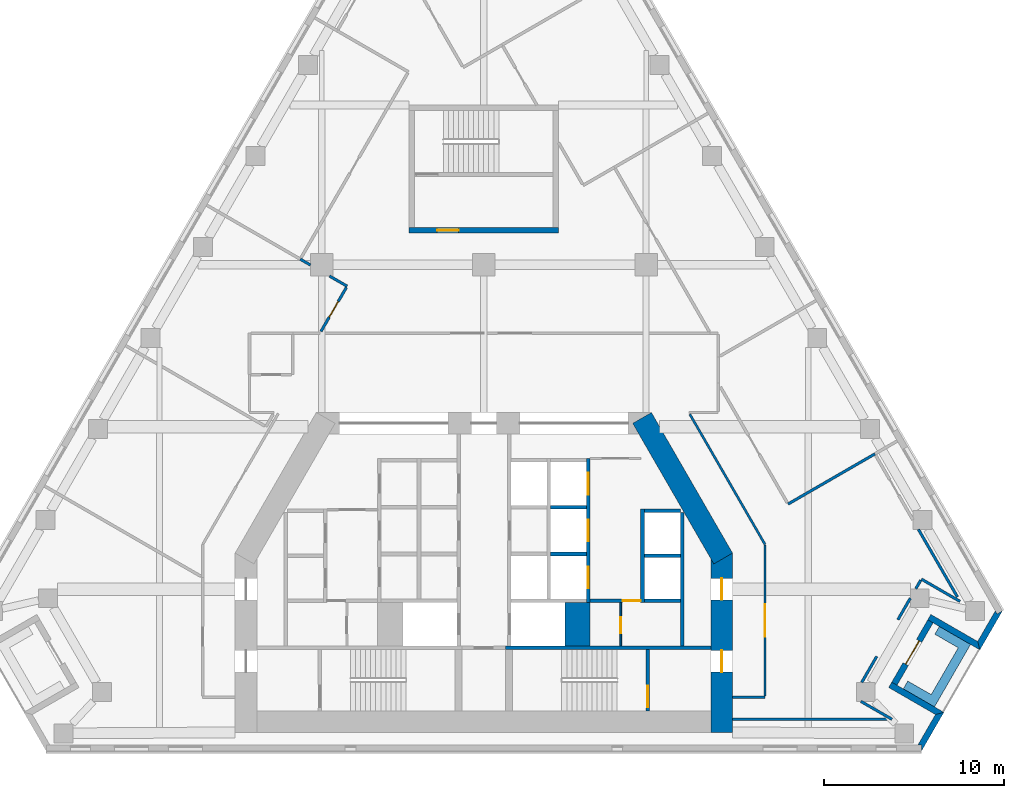
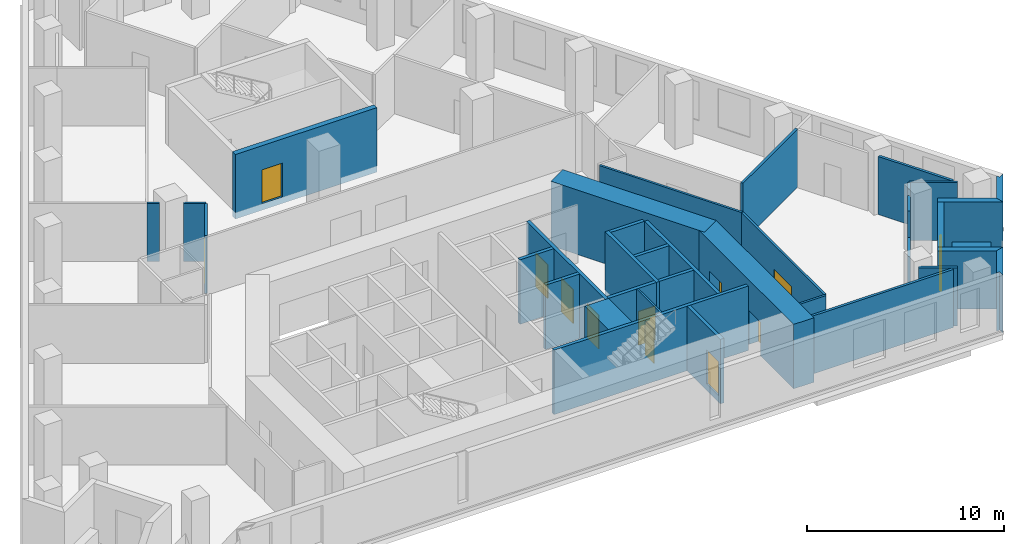
# One storey, part 5 of 8: 36 walls, 12 doors, 12 openings.
"""IFC4 building model written with IfcOpenShell, lengths in metres."""

from ifc_helpers import new_model, si_unit, direction, frame, frame_2d, origin, place, context, subcontext, project, spatial, polyline, rectangle, outline, extrude, material, layer, layer_set, type_object, element, fill, save


model = new_model("IFC4")

# Units and contexts
model_context = context("Model", 3, precision=1e-05, world=origin(), true_north=direction((0.0, 1.0)))
body_context = subcontext(model_context, "Body", "Model", "MODEL_VIEW")
ifc_project = project(units=[si_unit("LENGTHUNIT", "METRE"), si_unit("AREAUNIT", "SQUARE_METRE"), si_unit("VOLUMEUNIT", "CUBIC_METRE"), si_unit("PLANEANGLEUNIT", "RADIAN"), si_unit("MASSUNIT", "GRAM", prefix="KILO")], contexts=[model_context])

# Site, building, storey
site_placement = place(None, origin())
site = spatial("IfcSite", under=ifc_project, at=site_placement, CompositionType="ELEMENT")
building_placement = place(site_placement, origin())
building = spatial("IfcBuilding", under=site, at=building_placement, Name="Fogline Exchange Tower", CompositionType="ELEMENT")
storey_placement = place(building_placement, frame((0.0, 0.0, 158.89990234375)))
storey = spatial("IfcBuildingStorey", under=building, at=storey_placement, Name="L35", CompositionType="ELEMENT", Elevation=158.89990234375)

# Wall, opening, door
ifc_material_1 = material(Name="Blockwork partition", Category="masonry")
ifc_layer_1 = layer(ifc_material_1, 0.10009765625)
ifc_layer_set_1 = layer_set([ifc_layer_1], Name="CW10")
wall_type_1 = type_object("IfcWallType", Name="CW10", PredefinedType="PARTITIONING", material=ifc_layer_set_1)
wall_1_placement = place(storey_placement, frame((7.60009765625, 5.85009765625, 0.0), z_axis=(0.0, 0.0, 1.0), x_axis=(0.0, 1.0, 0.0)))
wall_1 = element("IfcWall", 1, at=wall_1_placement, inside=storey, type_object=wall_type_1, Name="WC partition", PredefinedType="PARTITIONING", context=body_context, shape_type="SweptSolid", body=[
    extrude(rectangle(XDim=2.39990234375, YDim=0.10009765625, at=frame_2d((1.199951171875, 0.0))), origin(), (0.0, 0.0, 1.0), 3.60009765625),
])
opening_1_placement = place(wall_1_placement, frame((0.699951171875, 0.0, 0.0)))
opening_1 = element("IfcOpeningElement", 2, at=opening_1_placement, cuts=wall_1, Name="Opening T11-C019", PredefinedType="OPENING", context=body_context, shape_type="SweptSolid", body=[
    extrude(rectangle(XDim=0.89990234375, YDim=2.10009765625, at=frame_2d((0.449951171875, 1.050048828125))), frame((0.0, 0.06005859375, 0.0), z_axis=(0.0, -1.0, 0.0), x_axis=(1.0, 0.0, 0.0)), (0.0, 0.0, 1.0), 0.1201171875),
])
ifc_material_2 = material(Name="Steel and timber fire door", Category="steel")
door_type_1 = type_object("IfcDoorType", Name="D-CS1", OperationType="SINGLE_SWING_RIGHT", PredefinedType="DOOR", material=ifc_material_2)
door_1_placement = place(opening_1_placement, origin())
door_1 = element("IfcDoor", 3, at=door_1_placement, inside=storey, type_object=door_type_1, Name="Door to Cleaner's Store", OperationType="SINGLE_SWING_LEFT", OverallHeight=2.10009765625, OverallWidth=0.89990234375, PredefinedType="DOOR", context=body_context, shape_type="SweptSolid", body=[
    extrude(rectangle(XDim=0.89990234375, YDim=2.10009765625, at=frame_2d((0.449951171875, 1.050048828125))), frame((0.0, 0.02490234375, 0.0), z_axis=(0.0, -1.0, 0.0), x_axis=(1.0, 0.0, 0.0)), (0.0, 0.0, 1.0), 0.050048828125),
])
fill(opening_1, door_1)

# Walls
ifc_material_3 = material(Name="Concrete C60", Category="concrete")
ifc_layer_2 = layer(ifc_material_3, 1.39990234375)
ifc_layer_set_2 = layer_set([ifc_layer_2], Name="CW140")
wall_type_2 = type_object("IfcWallType", Name="CW140", PredefinedType="SOLIDWALL", material=ifc_layer_set_2)
wall_2_placement = place(storey_placement, frame((5.199951171875, 5.85009765625, -0.39990234375), z_axis=(0.0, 0.0, 1.0), x_axis=(0.0, 1.0, 0.0)))
element("IfcWall", 4, at=wall_2_placement, inside=storey, type_object=wall_type_2, Name="Lift shaft block wall", PredefinedType="SOLIDWALL", context=body_context, shape_type="SweptSolid", body=[
    extrude(rectangle(XDim=2.39990234375, YDim=1.39990234375, at=frame_2d((1.199951171875, 0.0))), origin(), (0.0, 0.0, 1.0), 4.0),
])
ifc_material_4 = material(Name="Concrete C40", Category="concrete")
ifc_layer_3 = layer(ifc_material_4, 0.199951171875)
ifc_layer_set_3 = layer_set([ifc_layer_3], Name="CW20")
wall_type_3 = type_object("IfcWallType", Name="CW20", PredefinedType="SOLIDWALL", material=ifc_layer_set_3)
wall_3_placement = place(storey_placement, frame((11.0, 5.85009765625, 0.0), z_axis=(0.0, 0.0, 1.0), x_axis=(0.0, 1.0, 0.0)))
element("IfcWall", 5, at=wall_3_placement, inside=storey, type_object=wall_type_3, Name="Service room wall", PredefinedType="SOLIDWALL", context=body_context, shape_type="SweptSolid", body=[
    extrude(rectangle(XDim=7.39990234375, YDim=0.199951171875, at=frame_2d((3.699951171875, 0.0))), origin(), (0.0, 0.0, 1.0), 3.60009765625),
])

# Wall, opening, door
wall_4_placement = place(storey_placement, frame((5.89990234375, 8.35009765625, 0.0), z_axis=(0.0, 0.0, 1.0), x_axis=(1.0, 0.0, 0.0)))
wall_4 = element("IfcWall", 6, at=wall_4_placement, inside=storey, type_object=wall_type_3, Name="WC wall", PredefinedType="SOLIDWALL", context=body_context, shape_type="SweptSolid", body=[
    extrude(rectangle(XDim=2.800048828125, YDim=0.199951171875, at=frame_2d((1.39990234375, 0.0))), origin(), (0.0, 0.0, 1.0), 3.60009765625),
])
opening_2_placement = place(wall_4_placement, frame((1.800048828125, 0.0, 0.0)))
opening_2 = element("IfcOpeningElement", 7, at=opening_2_placement, cuts=wall_4, Name="Opening T11-C018", PredefinedType="OPENING", context=body_context, shape_type="SweptSolid", body=[
    extrude(rectangle(XDim=1.0, YDim=2.10009765625, at=frame_2d((0.5, 1.050048828125))), frame((0.0, 0.10986328125, 0.0), z_axis=(0.0, -1.0, 0.0), x_axis=(1.0, 0.0, 0.0)), (0.0, 0.0, 1.0), 0.219970703125),
])
door_type_2 = type_object("IfcDoorType", Name="D-WC1", OperationType="SINGLE_SWING_LEFT", PredefinedType="DOOR", material=ifc_material_2)
door_2_placement = place(opening_2_placement, frame((1.0, 0.0, 0.0), z_axis=(0.0, 0.0, 1.0), x_axis=(-1.0, 0.0, 0.0)))
door_2 = element("IfcDoor", 8, at=door_2_placement, inside=storey, type_object=door_type_2, Name="Door to Women's WC", OperationType="SINGLE_SWING_LEFT", OverallHeight=2.10009765625, OverallWidth=1.0, PredefinedType="DOOR", context=body_context, shape_type="SweptSolid", body=[
    extrude(rectangle(XDim=1.0, YDim=2.10009765625, at=frame_2d((0.5, 1.050048828125))), frame((0.0, 0.02490234375, 0.0), z_axis=(0.0, -1.0, 0.0), x_axis=(1.0, 0.0, 0.0)), (0.0, 0.0, 1.0), 0.050048828125),
])
fill(opening_2, door_2)

# Wall
ifc_layer_4 = layer(ifc_material_4, 0.199951171875)
ifc_layer_set_4 = layer_set([ifc_layer_4], Name="CW20R")
wall_type_4 = type_object("IfcWallType", Name="CW20R", PredefinedType="SOLIDWALL", material=ifc_layer_set_4)
wall_5_placement = place(storey_placement, frame((1.199951171875, 5.75, -0.39990234375), z_axis=(0.0, 0.0, 1.0), x_axis=(1.0, 0.0, 0.0)))
element("IfcWall", 9, at=wall_5_placement, inside=storey, type_object=wall_type_4, Name="Stair enclosure wall", PredefinedType="SOLIDWALL", context=body_context, shape_type="SweptSolid", body=[
    extrude(rectangle(XDim=11.400146484375, YDim=0.199951171875, at=frame_2d((5.7001953125, 0.0))), origin(), (0.0, 0.0, 1.0), 4.0),
])

# Wall, opening, door
wall_6_placement = place(storey_placement, frame((9.10009765625, 2.25, -0.39990234375), z_axis=(0.0, 0.0, 1.0), x_axis=(0.0, 1.0, 0.0)))
wall_6 = element("IfcWall", 10, at=wall_6_placement, inside=storey, type_object=wall_type_4, Name="Stair enclosure wall", PredefinedType="SOLIDWALL", context=body_context, shape_type="SweptSolid", body=[
    extrude(rectangle(XDim=3.39990234375, YDim=0.199951171875, at=frame_2d((1.699951171875, 0.0))), origin(), (0.0, 0.0, 1.0), 4.0),
])
opening_3_placement = place(wall_6_placement, frame((0.199951171875, 0.0, 0.39990234375)))
opening_3 = element("IfcOpeningElement", 11, at=opening_3_placement, cuts=wall_6, Name="Opening T11-C021", PredefinedType="OPENING", context=body_context, shape_type="SweptSolid", body=[
    extrude(rectangle(XDim=1.199951171875, YDim=2.10009765625, at=frame_2d((0.60009765625, 1.050048828125))), frame((0.0, 0.10986328125, 0.0), z_axis=(0.0, -1.0, 0.0), x_axis=(1.0, 0.0, 0.0)), (0.0, 0.0, 1.0), 0.219970703125),
])
door_type_3 = type_object("IfcDoorType", Name="D-ST1", OperationType="SINGLE_SWING_LEFT", PredefinedType="DOOR", material=ifc_material_2)
door_3_placement = place(opening_3_placement, origin())
door_3 = element("IfcDoor", 12, at=door_3_placement, inside=storey, type_object=door_type_3, Name="Stair door ST2", OperationType="SINGLE_SWING_LEFT", OverallHeight=2.10009765625, OverallWidth=1.199951171875, PredefinedType="DOOR", context=body_context, shape_type="SweptSolid", body=[
    extrude(rectangle(XDim=1.199951171875, YDim=2.10009765625, at=frame_2d((0.60009765625, 1.050048828125))), frame((0.0, 0.02490234375, 0.0), z_axis=(0.0, -1.0, 0.0), x_axis=(1.0, 0.0, 0.0)), (0.0, 0.0, 1.0), 0.050048828125),
])
fill(opening_3, door_3)

# Wall
ifc_layer_5 = layer(ifc_material_4, 0.199951171875)
ifc_layer_set_5 = layer_set([ifc_layer_5], Name="CW20S")
wall_type_5 = type_object("IfcWallType", Name="CW20S", PredefinedType="SOLIDWALL", material=ifc_layer_set_5)
wall_7_placement = place(storey_placement, frame((8.800048828125, 8.25, -0.39990234375), z_axis=(0.0, 0.0, 1.0), x_axis=(0.0, 1.0, 0.0)))
element("IfcWall", 13, at=wall_7_placement, inside=storey, type_object=wall_type_5, Name="Lift shaft wall", PredefinedType="SOLIDWALL", context=body_context, shape_type="SweptSolid", body=[
    extrude(rectangle(XDim=5.199951171875, YDim=0.199951171875, at=frame_2d((2.60009765625, 0.0))), origin(), (0.0, 0.0, 1.0), 4.0),
])

# Wall, openings, doors
wall_8_placement = place(storey_placement, frame((5.800048828125, 8.25, -0.39990234375), z_axis=(0.0, 0.0, 1.0), x_axis=(0.0, 1.0, 0.0)))
wall_8 = element("IfcWall", 14, at=wall_8_placement, inside=storey, type_object=wall_type_5, Name="Lift shaft wall", PredefinedType="SOLIDWALL", context=body_context, shape_type="SweptSolid", body=[
    extrude(rectangle(XDim=8.0, YDim=0.199951171875, at=frame_2d((4.0, 0.0))), origin(), (0.0, 0.0, 1.0), 4.0),
])
opening_4_placement = place(wall_8_placement, frame((0.800048828125, 0.0, 0.39990234375)))
opening_4 = element("IfcOpeningElement", 15, at=opening_4_placement, cuts=wall_8, Name="Opening T11-LD02", PredefinedType="OPENING", context=body_context, shape_type="SweptSolid", body=[
    extrude(rectangle(XDim=1.199951171875, YDim=2.10009765625, at=frame_2d((0.60009765625, 1.050048828125))), frame((0.0, 0.10986328125, 0.0), z_axis=(0.0, -1.0, 0.0), x_axis=(1.0, 0.0, 0.0)), (0.0, 0.0, 1.0), 0.219970703125),
])
opening_5_placement = place(wall_8_placement, frame((3.39990234375, 0.0, 0.39990234375)))
opening_5 = element("IfcOpeningElement", 16, at=opening_5_placement, cuts=wall_8, Name="Opening T11-LD03", PredefinedType="OPENING", context=body_context, shape_type="SweptSolid", body=[
    extrude(rectangle(XDim=1.199951171875, YDim=2.10009765625, at=frame_2d((0.60009765625, 1.050048828125))), frame((0.0, 0.10986328125, 0.0), z_axis=(0.0, -1.0, 0.0), x_axis=(1.0, 0.0, 0.0)), (0.0, 0.0, 1.0), 0.219970703125),
])
opening_6_placement = place(wall_8_placement, frame((6.0, 0.0, 0.39990234375)))
opening_6 = element("IfcOpeningElement", 17, at=opening_6_placement, cuts=wall_8, Name="Opening T11-LD04", PredefinedType="OPENING", context=body_context, shape_type="SweptSolid", body=[
    extrude(rectangle(XDim=1.199951171875, YDim=2.10009765625, at=frame_2d((0.60009765625, 1.050048828125))), frame((0.0, 0.10986328125, 0.0), z_axis=(0.0, -1.0, 0.0), x_axis=(1.0, 0.0, 0.0)), (0.0, 0.0, 1.0), 0.219970703125),
])
door_type_4 = type_object("IfcDoorType", Name="LD1", OperationType="SLIDING_TO_LEFT", PredefinedType="DOOR", material=ifc_material_2)
door_4_placement = place(opening_4_placement, origin())
door_4 = element("IfcDoor", 18, at=door_4_placement, inside=storey, type_object=door_type_4, Name="Landing door MR1", OperationType="SLIDING_TO_LEFT", OverallHeight=2.10009765625, OverallWidth=1.199951171875, PredefinedType="DOOR", context=body_context, shape_type="SweptSolid", body=[
    extrude(rectangle(XDim=1.199951171875, YDim=2.10009765625, at=frame_2d((0.60009765625, 1.050048828125))), frame((0.0, 0.02490234375, 0.0), z_axis=(0.0, -1.0, 0.0), x_axis=(1.0, 0.0, 0.0)), (0.0, 0.0, 1.0), 0.050048828125),
])
fill(opening_4, door_4)
door_5_placement = place(opening_5_placement, origin())
door_5 = element("IfcDoor", 19, at=door_5_placement, inside=storey, type_object=door_type_4, Name="Landing door MR2", OperationType="SLIDING_TO_LEFT", OverallHeight=2.10009765625, OverallWidth=1.199951171875, PredefinedType="DOOR", context=body_context, shape_type="SweptSolid", body=[
    extrude(rectangle(XDim=1.199951171875, YDim=2.10009765625, at=frame_2d((0.60009765625, 1.050048828125))), frame((0.0, 0.02490234375, 0.0), z_axis=(0.0, -1.0, 0.0), x_axis=(1.0, 0.0, 0.0)), (0.0, 0.0, 1.0), 0.050048828125),
])
fill(opening_5, door_5)
door_6_placement = place(opening_6_placement, origin())
door_6 = element("IfcDoor", 20, at=door_6_placement, inside=storey, type_object=door_type_4, Name="Landing door MR3", OperationType="SLIDING_TO_LEFT", OverallHeight=2.10009765625, OverallWidth=1.199951171875, PredefinedType="DOOR", context=body_context, shape_type="SweptSolid", body=[
    extrude(rectangle(XDim=1.199951171875, YDim=2.10009765625, at=frame_2d((0.60009765625, 1.050048828125))), frame((0.0, 0.02490234375, 0.0), z_axis=(0.0, -1.0, 0.0), x_axis=(1.0, 0.0, 0.0)), (0.0, 0.0, 1.0), 0.050048828125),
])
fill(opening_6, door_6)

# Walls
for number, where, z_axis, x_axis, name in (
    (21, (8.89990234375, 8.35009765625, -0.39990234375), (0.0, 0.0, 1.0), (1.0, 0.0, 0.0), "Lift shaft wall"),
    (22, (8.89990234375, 10.85009765625, -0.39990234375), (0.0, 0.0, 1.0), (1.0, 0.0, 0.0), "Lift shaft wall"),
    (23, (8.89990234375, 13.35009765625, -0.39990234375), (0.0, 0.0, 1.0), (1.0, 0.0, 0.0), "Lift shaft wall"),
    (24, (3.699951171875, 10.949951171875, -0.39990234375), (0.0, 0.0, 1.0), (1.0, 0.0, 0.0), "Lift shaft wall"),
    (25, (3.699951171875, 13.550048828125, -0.39990234375), (0.0, 0.0, 1.0), (1.0, 0.0, 0.0), "Lift shaft wall"),
):
    element("IfcWall", number, at=place(storey_placement, frame(where, z_axis=z_axis, x_axis=x_axis)), inside=storey, type_object=wall_type_5, Name=name, PredefinedType="SOLIDWALL", context=body_context, shape_type="SweptSolid", body=[
        extrude(rectangle(XDim=2.0, YDim=0.199951171875, at=frame_2d((1.0, 0.0))), origin(), (0.0, 0.0, 1.0), 4.0),
    ])

# Wall, opening, door
ifc_layer_6 = layer(ifc_material_4, 0.300048828125)
ifc_layer_set_6 = layer_set([ifc_layer_6], Name="CW30")
wall_type_6 = type_object("IfcWallType", Name="CW30", PredefinedType="SOLIDWALL", material=ifc_layer_set_6)
wall_9_placement = place(storey_placement, frame((-4.14990234375, 28.906982421875, -0.39990234375), z_axis=(0.0, 0.0, 1.0), x_axis=(1.0, 0.0, 0.0)))
wall_9 = element("IfcWall", 26, at=wall_9_placement, inside=storey, type_object=wall_type_6, Name="Stair enclosure wall ST3", PredefinedType="SOLIDWALL", context=body_context, shape_type="SweptSolid", body=[
    extrude(rectangle(XDim=8.2998046875, YDim=0.300048828125, at=frame_2d((4.14990234375, 0.0))), origin(), (0.0, 0.0, 1.0), 4.0),
])
opening_7_placement = place(wall_9_placement, frame((1.550048828125, 0.0, 0.39990234375)))
opening_7 = element("IfcOpeningElement", 27, at=opening_7_placement, cuts=wall_9, Name="Opening T11-C026", PredefinedType="OPENING", context=body_context, shape_type="SweptSolid", body=[
    extrude(rectangle(XDim=1.199951171875, YDim=2.10009765625, at=frame_2d((0.60009765625, 1.050048828125))), frame((0.0, 0.16015625, 0.0), z_axis=(0.0, -1.0, 0.0), x_axis=(1.0, 0.0, 0.0)), (0.0, 0.0, 1.0), 0.320068359375),
])
door_type_5 = type_object("IfcDoorType", Name="D-FR1", OperationType="SINGLE_SWING_RIGHT", PredefinedType="DOOR", material=ifc_material_2)
door_7_placement = place(opening_7_placement, origin())
door_7 = element("IfcDoor", 28, at=door_7_placement, inside=storey, type_object=door_type_5, Name="Front room door ST3", OperationType="SINGLE_SWING_LEFT", OverallHeight=2.10009765625, OverallWidth=1.199951171875, PredefinedType="DOOR", context=body_context, shape_type="SweptSolid", body=[
    extrude(rectangle(XDim=1.199951171875, YDim=2.10009765625, at=frame_2d((0.60009765625, 1.050048828125))), frame((0.0, 0.02490234375, 0.0), z_axis=(0.0, -1.0, 0.0), x_axis=(1.0, 0.0, 0.0)), (0.0, 0.0, 1.0), 0.050048828125),
])
fill(opening_7, door_7)

# Walls
ifc_material_5 = material(Name="Brick masonry", Category="masonry")
ifc_layer_7 = layer(ifc_material_5, 0.340087890625)
ifc_layer_set_7 = layer_set([ifc_layer_7], Name="FW1")
wall_type_7 = type_object("IfcWallType", Name="FW1", PredefinedType="SOLIDWALL", material=ifc_layer_set_7)
wall_10_placement = place(storey_placement, origin())
element("IfcWall", 29, at=wall_10_placement, inside=storey, type_object=wall_type_7, Name="Brick wall L35 SE-c1", PredefinedType="SOLIDWALL", context=body_context, shape_type="SweptSolid", body=[
    extrude(outline(polyline([(25.527099609375, 2.165771484375), (24.276123046875, -0.001220703125), (24.275390625, -0.0009765625), (24.275390625, 0.33935546875), (24.078857421875, 0.33935546875), (25.061279296875, 2.041015625), (25.52685546875, 2.166015625), (25.527099609375, 2.165771484375)])), origin(), (0.0, 0.0, 1.0), 3.60009765625),
])
wall_11_placement = place(storey_placement, origin())
element("IfcWall", 30, at=wall_11_placement, inside=storey, type_object=wall_type_7, Name="Brick wall L35 SE-s1", PredefinedType="SOLIDWALL", context=body_context, shape_type="SweptSolid", body=[
    extrude(outline(polyline([(22.462646484375, 3.540283203125), (22.63330078125, 3.8359375), (22.92822265625, 3.66552734375), (25.52734375, 2.1650390625), (25.52734375, 2.164794921875), (25.0615234375, 2.0400390625), (22.462646484375, 3.540283203125)])), origin(), (0.0, 0.0, 1.0), 3.60009765625),
])

# Wall, opening, door
wall_12_placement = place(storey_placement, frame((22.78076171875, 3.75, 0.0), z_axis=(0.0, 0.0, 1.0), x_axis=(0.49999894854, 0.866026010844, 0.0)))
wall_12 = element("IfcWall", 31, at=wall_12_placement, inside=storey, type_object=wall_type_7, Name="Brick wall L35 SE-bk", PredefinedType="SOLIDWALL", context=body_context, shape_type="SweptSolid", body=[
    extrude(rectangle(XDim=4.0, YDim=0.340087890625, at=frame_2d((2.0, 0.0))), origin(), (0.0, 0.0, 1.0), 3.60009765625),
])
opening_8_placement = place(wall_12_placement, frame((1.25, 0.0, 0.0)))
opening_8 = element("IfcOpeningElement", 32, at=opening_8_placement, cuts=wall_12, Name="Opening T11-E081", PredefinedType="OPENING", context=body_context, shape_type="SweptSolid", body=[
    extrude(rectangle(XDim=1.5, YDim=2.39990234375, at=frame_2d((0.75, 1.199951171875))), frame((0.0, 0.18017578125, 0.0), z_axis=(0.0, -1.0, 0.0), x_axis=(1.0, 0.0, 0.0)), (0.0, 0.0, 1.0), 0.360107421875),
])
ifc_material_6 = material(Name="Aluminium and glass", Category="aluminium")
door_type_6 = type_object("IfcDoorType", Name="ED4", OperationType="SINGLE_SWING_LEFT", PredefinedType="DOOR", material=ifc_material_6)
door_8_placement = place(opening_8_placement, frame((1.5, 0.0, 0.0), z_axis=(0.0, 0.0, 1.0), x_axis=(-1.0, 0.0, 0.0)))
door_8 = element("IfcDoor", 33, at=door_8_placement, inside=storey, type_object=door_type_6, Name="Balcony door L35 SE", OperationType="DOUBLE_DOOR_SINGLE_SWING", OverallHeight=2.39990234375, OverallWidth=1.5, PredefinedType="DOOR", context=body_context, shape_type="SweptSolid", body=[
    extrude(rectangle(XDim=1.5, YDim=2.39990234375, at=frame_2d((0.75, 1.199951171875))), frame((0.0, 0.02490234375, 0.0), z_axis=(0.0, -1.0, 0.0), x_axis=(1.0, 0.0, 0.0)), (0.0, 0.0, 1.0), 0.050048828125),
])
fill(opening_8, door_8)

# Walls
wall_13_placement = place(storey_placement, origin())
element("IfcWall", 34, at=wall_13_placement, inside=storey, type_object=wall_type_7, Name="Brick wall L35 SE-s2", PredefinedType="SOLIDWALL", context=body_context, shape_type="SweptSolid", body=[
    extrude(outline(polyline([(27.526611328125, 5.628173828125), (24.927734375, 7.128662109375), (24.6328125, 7.298828125), (24.803466796875, 7.594482421875), (27.402099609375, 6.093994140625), (27.52685546875, 5.62841796875), (27.526611328125, 5.628173828125)])), origin(), (0.0, 0.0, 1.0), 3.60009765625),
])
wall_14_placement = place(storey_placement, origin())
element("IfcWall", 35, at=wall_14_placement, inside=storey, type_object=wall_type_7, Name="Brick wall L35 SE-c2", PredefinedType="SOLIDWALL", context=body_context, shape_type="SweptSolid", body=[
    extrude(outline(polyline([(28.383544921875, 7.79541015625), (28.48193359375, 7.625), (28.776611328125, 7.79541015625), (28.777099609375, 7.794921875), (27.526123046875, 5.6279296875), (27.52587890625, 5.6279296875), (27.40087890625, 6.09375), (28.383544921875, 7.79541015625)])), origin(), (0.0, 0.0, 1.0), 3.60009765625),
])
ifc_material_7 = material(Name="Concrete C30", Category="concrete")
ifc_layer_8 = layer(ifc_material_7, 0.199951171875)
ifc_layer_set_8 = layer_set([ifc_layer_8], Name="PL1")
wall_type_8 = type_object("IfcWallType", Name="PL1", PredefinedType="USERDEFINED", material=ifc_layer_set_8)
wall_15_placement = place(storey_placement, origin())
element("IfcWall", 36, at=wall_15_placement, inside=storey, type_object=wall_type_8, Name="PLANTER balcony L35 SE", ObjectType="PLANTER", PredefinedType="USERDEFINED", context=body_context, shape_type="SweptSolid", body=[
    extrude(outline(polyline([(23.2744140625, 3.465087890625), (24.573486328125, 2.715087890625), (24.573486328125, 2.715087890625), (25.006591796875, 2.465087890625), (27.006591796875, 5.92919921875), (25.2744140625, 6.92919921875), (25.0244140625, 6.49609375), (26.323486328125, 5.74609375), (24.823486328125, 3.148193359375), (23.5244140625, 3.898193359375), (23.2744140625, 3.465087890625)])), origin(), (0.0, 0.0, 1.0), 1.10009765625),
])
ifc_material_8 = material(Name="Plasterboard corridor partition with mineral wool, 2 layers each side")
ifc_layer_9 = layer(ifc_material_8, 0.125)
ifc_layer_set_9 = layer_set([ifc_layer_9], Name="PW2")
wall_type_9 = type_object("IfcWallType", Name="PW2", PredefinedType="PARTITIONING", material=ifc_layer_set_9)
wall_16_placement = place(storey_placement, frame((11.428955078125, 18.705810546875, 0.0), z_axis=(0.0, 0.0, 1.0), x_axis=(0.500001115765, -0.866024759596, 0.0)))
element("IfcWall", 37, at=wall_16_placement, inside=storey, type_object=wall_type_9, Name="wall-L35-W001", PredefinedType="PARTITIONING", context=body_context, shape_type="SweptSolid", body=[
    extrude(rectangle(XDim=8.34228515625, YDim=0.125, at=frame_2d((4.171142578125, 0.0))), origin(), (0.0, 0.0, 1.0), 3.60009765625),
])

# Wall, opening, door
wall_17_placement = place(storey_placement, frame((15.60009765625, 11.4501953125, 0.0), z_axis=(0.0, 0.0, 1.0), x_axis=(0.0, -1.0, 0.0)))
wall_17 = element("IfcWall", 38, at=wall_17_placement, inside=storey, type_object=wall_type_9, Name="wall-L35-W002", PredefinedType="PARTITIONING", context=body_context, shape_type="SweptSolid", body=[
    extrude(rectangle(XDim=8.3876953125, YDim=0.125, at=frame_2d((4.19384765625, 0.0))), origin(), (0.0, 0.0, 1.0), 3.60009765625),
])
opening_9_placement = place(wall_17_placement, frame((3.2939453125, 0.0, 0.0)))
opening_9 = element("IfcOpeningElement", 39, at=opening_9_placement, cuts=wall_17, Name="Opening T11-D001", PredefinedType="OPENING", context=body_context, shape_type="SweptSolid", body=[
    extrude(rectangle(XDim=1.800048828125, YDim=2.10009765625, at=frame_2d((0.89990234375, 1.050048828125))), frame((0.0, 0.072509765625, 0.0), z_axis=(0.0, -1.0, 0.0), x_axis=(1.0, 0.0, 0.0)), (0.0, 0.0, 1.0), 0.14501953125),
])
ifc_material_9 = material(Name="Fire-rated timber door leaves with steel frame", Category="steel")
door_type_7 = type_object("IfcDoorType", Name="D4", OperationType="DOUBLE_DOOR_SINGLE_SWING", PredefinedType="DOOR", material=ifc_material_9)
door_9_placement = place(opening_9_placement, frame((1.800048828125, 0.0, 0.0), z_axis=(0.0, 0.0, 1.0), x_axis=(-1.0, 0.0, 0.0)))
door_9 = element("IfcDoor", 40, at=door_9_placement, inside=storey, type_object=door_type_7, Name="door-L35-D001", OperationType="DOUBLE_DOOR_SINGLE_SWING", OverallHeight=2.10009765625, OverallWidth=1.800048828125, PredefinedType="DOOR", context=body_context, shape_type="SweptSolid", body=[
    extrude(rectangle(XDim=1.800048828125, YDim=2.10009765625, at=frame_2d((0.89990234375, 1.050048828125))), frame((0.0, 0.02490234375, 0.0), z_axis=(0.0, -1.0, 0.0), x_axis=(1.0, 0.0, 0.0)), (0.0, 0.0, 1.0), 0.050048828125),
])
fill(opening_9, door_9)

# Walls
wall_18_placement = place(storey_placement, frame((15.60009765625, 3.0, 0.0), z_axis=(0.0, 0.0, 1.0), x_axis=(-1.0, 0.0, 0.0)))
element("IfcWall", 41, at=wall_18_placement, inside=storey, type_object=wall_type_9, Name="wall-L35-W003", PredefinedType="PARTITIONING", context=body_context, shape_type="SweptSolid", body=[
    extrude(rectangle(XDim=1.800048828125, YDim=0.125, at=frame_2d((0.89990234375, 0.0))), origin(), (0.0, 0.0, 1.0), 3.60009765625),
])
ifc_material_10 = material(Name="Plasterboard demising partition with mineral wool and acoustic board")
ifc_layer_10 = layer(ifc_material_10, 0.14990234375)
ifc_layer_set_10 = layer_set([ifc_layer_10], Name="PW3")
wall_type_10 = type_object("IfcWallType", Name="PW3", PredefinedType="PARTITIONING", material=ifc_layer_set_10)
wall_19_placement = place(storey_placement, frame((21.697265625, 16.501953125, 0.0), z_axis=(0.0, 0.0, 1.0), x_axis=(-0.866025547485, -0.499999751104, 0.0)))
element("IfcWall", 42, at=wall_19_placement, inside=storey, type_object=wall_type_10, Name="wall-L35-W021", PredefinedType="PARTITIONING", context=body_context, shape_type="SweptSolid", body=[
    extrude(rectangle(XDim=5.5634765625, YDim=0.14990234375, at=frame_2d((2.78173828125, 0.0))), origin(), (0.0, 0.0, 1.0), 3.60009765625),
])

# Wall, opening, door
wall_20_placement = place(storey_placement, frame((-9.038818359375, 23.30029296875, 0.0), z_axis=(0.0, 0.0, 1.0), x_axis=(0.500026877998, 0.866009885209, 0.0)))
wall_20 = element("IfcWall", 43, at=wall_20_placement, inside=storey, type_object=wall_type_10, Name="wall-L35-W040", PredefinedType="PARTITIONING", context=body_context, shape_type="SweptSolid", body=[
    extrude(rectangle(XDim=2.822998046875, YDim=0.14990234375, at=frame_2d((1.41162109375, 0.0))), origin(), (0.0, 0.0, 1.0), 3.60009765625),
])
opening_10_placement = place(wall_20_placement, frame((0.91162109375, 0.0, 0.0)))
opening_10 = element("IfcOpeningElement", 44, at=opening_10_placement, cuts=wall_20, Name="Opening T11-D013", PredefinedType="OPENING", context=body_context, shape_type="SweptSolid", body=[
    extrude(rectangle(XDim=1.0, YDim=2.10009765625, at=frame_2d((0.5, 1.050048828125))), frame((0.0, 0.0849609375, 0.0), z_axis=(0.0, -1.0, 0.0), x_axis=(1.0, 0.0, 0.0)), (0.0, 0.0, 1.0), 0.169921875),
])
ifc_material_11 = material(Name="Fire-rated timber door leaf with steel frame", Category="steel")
door_type_8 = type_object("IfcDoorType", Name="D3", OperationType="SINGLE_SWING_LEFT", PredefinedType="DOOR", material=ifc_material_11)
door_10_placement = place(opening_10_placement, origin())
door_10 = element("IfcDoor", 45, at=door_10_placement, inside=storey, type_object=door_type_8, Name="door-L35-D013", OperationType="SINGLE_SWING_LEFT", OverallHeight=2.10009765625, OverallWidth=1.0, PredefinedType="DOOR", context=body_context, shape_type="SweptSolid", body=[
    extrude(rectangle(XDim=1.0, YDim=2.10009765625, at=frame_2d((0.5, 1.050048828125))), frame((0.0, 0.02490234375, 0.0), z_axis=(0.0, -1.0, 0.0), x_axis=(1.0, 0.0, 0.0)), (0.0, 0.0, 1.0), 0.050048828125),
])
fill(opening_10, door_10)

# Walls
wall_21_placement = place(storey_placement, frame((-7.589599609375, 25.810302734375, 0.0), z_axis=(0.0, 0.0, 1.0), x_axis=(-0.866066817379, 0.499928262689, 0.0)))
element("IfcWall", 46, at=wall_21_placement, inside=storey, type_object=wall_type_10, Name="wall-L35-W041", PredefinedType="PARTITIONING", context=body_context, shape_type="SweptSolid", body=[
    extrude(rectangle(XDim=1.129638671875, YDim=0.14990234375, at=frame_2d((0.56494140625, 0.0))), origin(), (0.0, 0.0, 1.0), 3.60009765625),
])
wall_22_placement = place(storey_placement, frame((-9.625, 26.9853515625, 0.0), z_axis=(0.0, 0.0, 1.0), x_axis=(-0.86599162392, 0.500058503878, 0.0)))
element("IfcWall", 47, at=wall_22_placement, inside=storey, type_object=wall_type_10, Name="wall-L35-W042", PredefinedType="PARTITIONING", context=body_context, shape_type="SweptSolid", body=[
    extrude(rectangle(XDim=0.64990234375, YDim=0.14990234375, at=frame_2d((0.324951171875, 0.0))), origin(), (0.0, 0.0, 1.0), 3.60009765625),
])
wall_23_placement = place(storey_placement, frame((13.800048828125, 1.776611328125, 0.0), z_axis=(0.0, 0.0, 1.0), x_axis=(1.0, 0.0, 0.0)))
element("IfcWall", 48, at=wall_23_placement, inside=storey, type_object=wall_type_10, Name="wall-L35-W050", PredefinedType="PARTITIONING", context=body_context, shape_type="SweptSolid", body=[
    extrude(rectangle(XDim=8.565673828125, YDim=0.14990234375, at=frame_2d((4.28271484375, 0.0))), origin(), (0.0, 0.0, 1.0), 3.60009765625),
])
wall_24_placement = place(storey_placement, frame((22.64599609375, 1.776611328125, 0.0), z_axis=(0.0, 0.0, 1.0), x_axis=(-0.866073508375, 0.499916671148, 0.0)))
element("IfcWall", 49, at=wall_24_placement, inside=storey, type_object=wall_type_10, Name="wall-L35-W051", PredefinedType="PARTITIONING", context=body_context, shape_type="SweptSolid", body=[
    extrude(rectangle(XDim=1.994873046875, YDim=0.14990234375, at=frame_2d((0.99755859375, 0.0))), origin(), (0.0, 0.0, 1.0), 3.60009765625),
])
wall_25_placement = place(storey_placement, frame((20.968505859375, 3.823974609375, 0.0), z_axis=(0.0, 0.0, 1.0), x_axis=(0.499950631041, 0.86605390509, 0.0)))
element("IfcWall", 50, at=wall_25_placement, inside=storey, type_object=wall_type_10, Name="wall-L35-W052", PredefinedType="PARTITIONING", context=body_context, shape_type="SweptSolid", body=[
    extrude(rectangle(XDim=1.667236328125, YDim=0.14990234375, at=frame_2d((0.83349609375, 0.0))), origin(), (0.0, 0.0, 1.0), 3.60009765625),
])
wall_26_placement = place(storey_placement, frame((22.97705078125, 7.302978515625, 0.0), z_axis=(0.0, 0.0, 1.0), x_axis=(0.499958106649, 0.866049589571, 0.0)))
element("IfcWall", 51, at=wall_26_placement, inside=storey, type_object=wall_type_10, Name="wall-L35-W053", PredefinedType="PARTITIONING", context=body_context, shape_type="SweptSolid", body=[
    extrude(rectangle(XDim=1.375, YDim=0.14990234375, at=frame_2d((0.6875, 0.0))), origin(), (0.0, 0.0, 1.0), 3.60009765625),
])
wall_27_placement = place(storey_placement, frame((23.968505859375, 9.020263671875, 0.0), z_axis=(0.0, 0.0, 1.0), x_axis=(0.499955758317, 0.866050945225, 0.0)))
element("IfcWall", 52, at=wall_27_placement, inside=storey, type_object=wall_type_10, Name="wall-L35-W054", PredefinedType="PARTITIONING", context=body_context, shape_type="SweptSolid", body=[
    extrude(rectangle(XDim=0.54345703125, YDim=0.14990234375, at=frame_2d((0.271728515625, 0.0))), origin(), (0.0, 0.0, 1.0), 3.60009765625),
])
wall_28_placement = place(storey_placement, frame((24.27783203125, 9.555908203125, 0.0), z_axis=(0.0, 0.0, 1.0), x_axis=(0.866026347786, -0.499998364937, 0.0)))
element("IfcWall", 53, at=wall_28_placement, inside=storey, type_object=wall_type_10, Name="wall-L35-W055", PredefinedType="PARTITIONING", context=body_context, shape_type="SweptSolid", body=[
    extrude(rectangle(XDim=2.4765625, YDim=0.14990234375, at=frame_2d((1.23828125, 0.0))), origin(), (0.0, 0.0, 1.0), 3.60009765625),
])
wall_29_placement = place(storey_placement, frame((26.2822265625, 8.560546875, 0.0), z_axis=(0.0, 0.0, 1.0), x_axis=(-0.499980506256, 0.86603665821, 0.0)))
element("IfcWall", 54, at=wall_29_placement, inside=storey, type_object=wall_type_10, Name="wall-L35-W056", PredefinedType="PARTITIONING", context=body_context, shape_type="SweptSolid", body=[
    extrude(rectangle(XDim=4.340576171875, YDim=0.14990234375, at=frame_2d((2.17041015625, 0.0))), origin(), (0.0, 0.0, 1.0), 3.60009765625),
])

# Wall, openings, doors
ifc_layer_11 = layer(ifc_material_3, 1.199951171875)
ifc_layer_set_11 = layer_set([ifc_layer_11], Name="SW02")
wall_type_11 = type_object("IfcWallType", Name="SW02", PredefinedType="SHEAR", material=ifc_layer_set_11)
wall_30_placement = place(storey_placement, frame((13.199951171875, 1.050048828125, 0.0), z_axis=(0.0, 0.0, 1.0), x_axis=(0.0, 1.0, 0.0)))
wall_30 = element("IfcWall", 55, at=wall_30_placement, inside=storey, type_object=wall_type_11, Name="L35-W902", PredefinedType="SHEAR", context=body_context, shape_type="SweptSolid", body=[
    extrude(rectangle(XDim=9.948974609375, YDim=1.199951171875, at=frame_2d((4.974609375, 0.0))), origin(), (0.0, 0.0, 1.0), 4.0),
])
opening_11_placement = place(wall_30_placement, frame((3.35009765625, 0.0, 0.0)))
opening_11 = element("IfcOpeningElement", 56, at=opening_11_placement, cuts=wall_30, Name="Opening T11-C020", PredefinedType="OPENING", context=body_context, shape_type="SweptSolid", body=[
    extrude(rectangle(XDim=1.199951171875, YDim=2.10009765625, at=frame_2d((0.60009765625, 1.050048828125))), frame((0.0, 0.60986328125, 0.0), z_axis=(0.0, -1.0, 0.0), x_axis=(1.0, 0.0, 0.0)), (0.0, 0.0, 1.0), 1.219970703125),
])
opening_12_placement = place(wall_30_placement, frame((7.35009765625, 0.0, 0.0)))
opening_12 = element("IfcOpeningElement", 57, at=opening_12_placement, cuts=wall_30, Name="Opening T11-C022", PredefinedType="OPENING", context=body_context, shape_type="SweptSolid", body=[
    extrude(rectangle(XDim=1.199951171875, YDim=2.10009765625, at=frame_2d((0.60009765625, 1.050048828125))), frame((0.0, 0.60986328125, 0.0), z_axis=(0.0, -1.0, 0.0), x_axis=(1.0, 0.0, 0.0)), (0.0, 0.0, 1.0), 1.219970703125),
])
door_11_placement = place(opening_11_placement, origin())
door_11 = element("IfcDoor", 58, at=door_11_placement, inside=storey, type_object=door_type_5, Name="Front room door ST2", OperationType="SINGLE_SWING_RIGHT", OverallHeight=2.10009765625, OverallWidth=1.199951171875, PredefinedType="DOOR", context=body_context, shape_type="SweptSolid", body=[
    extrude(rectangle(XDim=1.199951171875, YDim=2.10009765625, at=frame_2d((0.60009765625, 1.050048828125))), frame((0.0, 0.02490234375, 0.0), z_axis=(0.0, -1.0, 0.0), x_axis=(1.0, 0.0, 0.0)), (0.0, 0.0, 1.0), 0.050048828125),
])
fill(opening_11, door_11)
door_type_9 = type_object("IfcDoorType", Name="D-SV1", OperationType="SINGLE_SWING_LEFT", PredefinedType="DOOR", material=ifc_material_2)
door_12_placement = place(opening_12_placement, origin())
door_12 = element("IfcDoor", 59, at=door_12_placement, inside=storey, type_object=door_type_9, Name="Service door E", OperationType="SINGLE_SWING_RIGHT", OverallHeight=2.10009765625, OverallWidth=1.199951171875, PredefinedType="DOOR", context=body_context, shape_type="SweptSolid", body=[
    extrude(rectangle(XDim=1.199951171875, YDim=2.10009765625, at=frame_2d((0.60009765625, 1.050048828125))), frame((0.0, 0.02490234375, 0.0), z_axis=(0.0, -1.0, 0.0), x_axis=(1.0, 0.0, 0.0)), (0.0, 0.0, 1.0), 0.050048828125),
])
fill(opening_12, door_12)

# Wall
wall_31_placement = place(storey_placement, frame((13.280517578125, 10.698974609375, 0.0), z_axis=(0.0, 0.0, 1.0), x_axis=(-0.499998513025, 0.866026262288, 0.0)))
element("IfcWall", 60, at=wall_31_placement, inside=storey, type_object=wall_type_11, Name="L35-W903", PredefinedType="SHEAR", context=body_context, shape_type="SweptSolid", body=[
    extrude(rectangle(XDim=9.0078125, YDim=1.199951171875, at=frame_2d((4.50390625, 0.0))), origin(), (0.0, 0.0, 1.0), 4.0),
])

save(model, "model.ifc")
